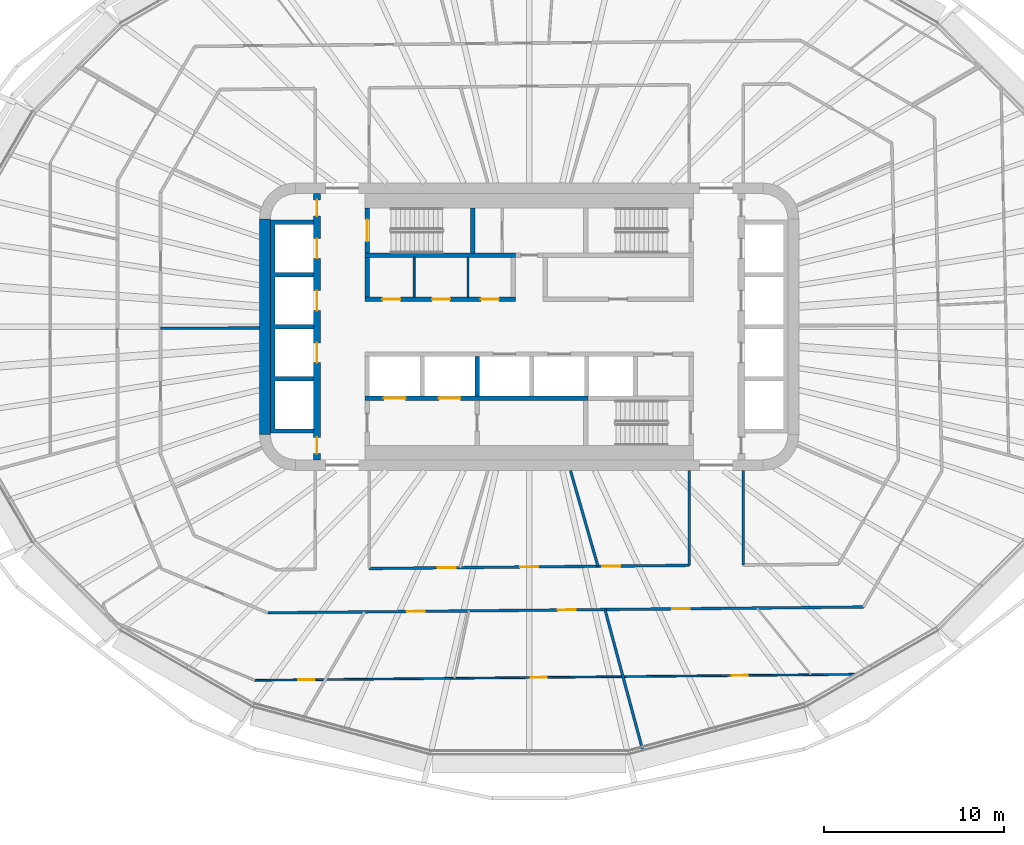
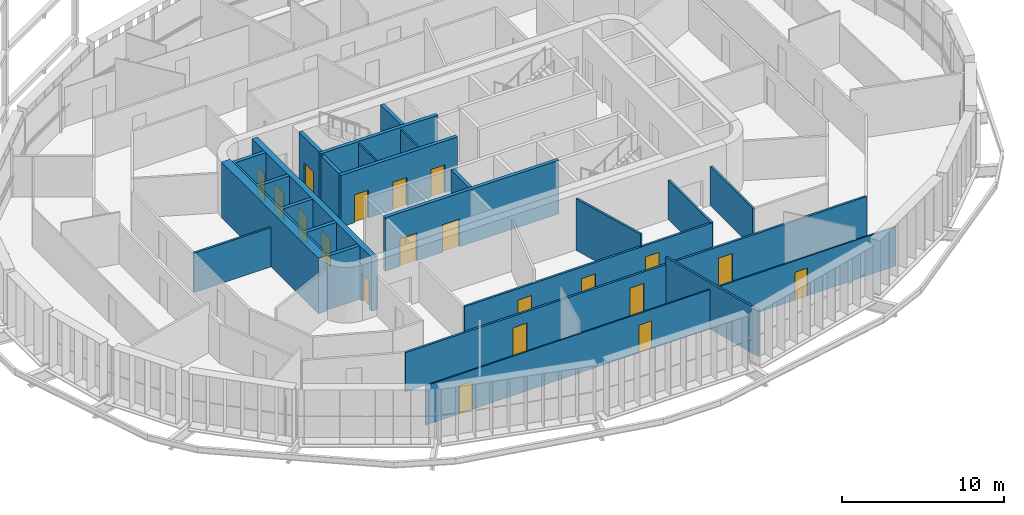
# One storey, part 15 of 26: 20 doors, 20 walls, 20 openings.
"""IFC4 building model written with IfcOpenShell, lengths in metres."""

from ifc_helpers import new_model, si_unit, direction, frame, frame_2d, origin, place, context, subcontext, project, spatial, polyline, rectangle, outline, extrude, material, layer, layer_set, type_object, element, fill, save


model = new_model("IFC4")

# Units and contexts
model_context = context("Model", 3, precision=1e-05, world=origin(), true_north=direction((0.0, 1.0)))
body_context = subcontext(model_context, "Body", "Model", "MODEL_VIEW")
ifc_project = project(units=[si_unit("LENGTHUNIT", "METRE"), si_unit("AREAUNIT", "SQUARE_METRE"), si_unit("VOLUMEUNIT", "CUBIC_METRE"), si_unit("PLANEANGLEUNIT", "RADIAN"), si_unit("MASSUNIT", "GRAM", prefix="KILO")], contexts=[model_context])

# Site, building, storey
site_placement = place(None, origin())
site = spatial("IfcSite", under=ifc_project, at=site_placement, CompositionType="ELEMENT")
building_placement = place(site_placement, origin())
building = spatial("IfcBuilding", under=site, at=building_placement, Name="Sahrelin Media Tower", CompositionType="ELEMENT")
storey_placement = place(building_placement, frame((0.0, 0.0, 84.0)))
storey = spatial("IfcBuildingStorey", under=building, at=storey_placement, Name="L15", CompositionType="ELEMENT", Elevation=84.0)

# Wall
ifc_material_1 = material(Name="Concrete C60/75", Category="concrete")
ifc_layer_1 = layer(ifc_material_1, 0.60009765625)
ifc_layer_set_1 = layer_set([ifc_layer_1], Name="Core wall 600")
wall_type_1 = type_object("IfcWallType", Name="Core wall 600", PredefinedType="SHEAR", material=ifc_layer_set_1)
wall_1_placement = place(storey_placement, frame((-14.699951171875, -6.0, 0.0), z_axis=(0.0, 0.0, 1.0), x_axis=(0.0, 1.0, 0.0)))
element("IfcWall", 1, at=wall_1_placement, inside=storey, type_object=wall_type_1, Name="Core wall W L15", PredefinedType="SHEAR", context=body_context, shape_type="SweptSolid", body=[
    extrude(rectangle(XDim=12.0, YDim=0.60009765625, at=frame_2d((6.0, 0.0))), origin(), (0.0, 0.0, 1.0), 4.199951171875),
])

# Wall, openings, doors
ifc_material_2 = material(Name="Fire-rated gypsum board partition")
ifc_layer_2 = layer(ifc_material_2, 0.25)
ifc_layer_set_2 = layer_set([ifc_layer_2], Name="Fire-rated lobby wall 250")
wall_type_2 = type_object("IfcWallType", Name="Fire-rated lobby wall 250", PredefinedType="PARTITIONING", material=ifc_layer_set_2)
wall_2_placement = place(storey_placement, frame((-9.125, 1.52490234375, 0.0), z_axis=(0.0, 0.0, 1.0), x_axis=(1.0, 0.0, 0.0)))
wall_2 = element("IfcWall", 2, at=wall_2_placement, inside=storey, type_object=wall_type_2, Name="Core lobby wall", PredefinedType="PARTITIONING", context=body_context, shape_type="SweptSolid", body=[
    extrude(rectangle(XDim=8.35009765625, YDim=0.25, at=frame_2d((4.175048828125, 0.0))), origin(), (0.0, 0.0, 1.0), 3.89990234375),
])
opening_1_placement = place(wall_2_placement, frame((0.96240234375, 0.0, 0.0)))
opening_1 = element("IfcOpeningElement", 3, at=opening_1_placement, cuts=wall_2, Name="Opening L15-D08", PredefinedType="OPENING", context=body_context, shape_type="SweptSolid", body=[
    extrude(rectangle(XDim=1.0, YDim=2.10009765625, at=frame_2d((0.5, 1.050048828125))), frame((0.0, 0.125, 0.0), z_axis=(0.0, -1.0, 0.0), x_axis=(1.0, 0.0, 0.0)), (0.0, 0.0, 1.0), 0.25),
])
opening_2_placement = place(wall_2_placement, frame((3.72509765625, 0.0, 0.0)))
opening_2 = element("IfcOpeningElement", 4, at=opening_2_placement, cuts=wall_2, Name="Opening L15-D09", PredefinedType="OPENING", context=body_context, shape_type="SweptSolid", body=[
    extrude(rectangle(XDim=1.0, YDim=2.10009765625, at=frame_2d((0.5, 1.050048828125))), frame((0.0, 0.125, 0.0), z_axis=(0.0, -1.0, 0.0), x_axis=(1.0, 0.0, 0.0)), (0.0, 0.0, 1.0), 0.25),
])
opening_3_placement = place(wall_2_placement, frame((6.4375, 0.0, 0.0)))
opening_3 = element("IfcOpeningElement", 5, at=opening_3_placement, cuts=wall_2, Name="Opening L15-D10", PredefinedType="OPENING", context=body_context, shape_type="SweptSolid", body=[
    extrude(rectangle(XDim=1.0, YDim=2.10009765625, at=frame_2d((0.5, 1.050048828125))), frame((0.0, 0.125, 0.0), z_axis=(0.0, -1.0, 0.0), x_axis=(1.0, 0.0, 0.0)), (0.0, 0.0, 1.0), 0.25),
])
ifc_material_3 = material(Name="Steel fire door leaf", Category="steel")
door_type_1 = type_object("IfcDoorType", Name="Fire door 1000 x 2100 EI 60", OperationType="NOTDEFINED", PredefinedType="DOOR", material=ifc_material_3)
door_1_placement = place(opening_1_placement, origin())
door_1 = element("IfcDoor", 6, at=door_1_placement, inside=storey, type_object=door_type_1, Name="Core room door", OperationType="SINGLE_SWING_LEFT", OverallHeight=2.10009765625, OverallWidth=1.0, PredefinedType="DOOR", context=body_context, shape_type="SweptSolid", body=[
    extrude(rectangle(XDim=1.0, YDim=2.10009765625, at=frame_2d((0.5, 1.050048828125))), frame((0.0, 0.02490234375, 0.0), z_axis=(0.0, -1.0, 0.0), x_axis=(1.0, 0.0, 0.0)), (0.0, 0.0, 1.0), 0.050048828125),
])
fill(opening_1, door_1)
door_2_placement = place(opening_2_placement, origin())
door_2 = element("IfcDoor", 7, at=door_2_placement, inside=storey, type_object=door_type_1, Name="Core room door", OperationType="SINGLE_SWING_LEFT", OverallHeight=2.10009765625, OverallWidth=1.0, PredefinedType="DOOR", context=body_context, shape_type="SweptSolid", body=[
    extrude(rectangle(XDim=1.0, YDim=2.10009765625, at=frame_2d((0.5, 1.050048828125))), frame((0.0, 0.02490234375, 0.0), z_axis=(0.0, -1.0, 0.0), x_axis=(1.0, 0.0, 0.0)), (0.0, 0.0, 1.0), 0.050048828125),
])
fill(opening_2, door_2)
door_3_placement = place(opening_3_placement, origin())
door_3 = element("IfcDoor", 8, at=door_3_placement, inside=storey, type_object=door_type_1, Name="Core room door", OperationType="SINGLE_SWING_LEFT", OverallHeight=2.10009765625, OverallWidth=1.0, PredefinedType="DOOR", context=body_context, shape_type="SweptSolid", body=[
    extrude(rectangle(XDim=1.0, YDim=2.10009765625, at=frame_2d((0.5, 1.050048828125))), frame((0.0, 0.02490234375, 0.0), z_axis=(0.0, -1.0, 0.0), x_axis=(1.0, 0.0, 0.0)), (0.0, 0.0, 1.0), 0.050048828125),
])
fill(opening_3, door_3)

# Walls
wall_3_placement = place(storey_placement, frame((-9.0, 1.64990234375, 0.0), z_axis=(0.0, 0.0, 1.0), x_axis=(0.0, 1.0, 0.0)))
element("IfcWall", 9, at=wall_3_placement, inside=storey, type_object=wall_type_2, Name="Core lobby wall", PredefinedType="PARTITIONING", context=body_context, shape_type="SweptSolid", body=[
    extrude(rectangle(XDim=2.2001953125, YDim=0.25, at=frame_2d((1.10009765625, 0.0))), origin(), (0.0, 0.0, 1.0), 3.89990234375),
])
ifc_layer_3 = layer(ifc_material_2, 0.10009765625)
ifc_layer_set_3 = layer_set([ifc_layer_3], Name="Fire-rated partition 100")
wall_type_3 = type_object("IfcWallType", Name="Fire-rated partition 100", PredefinedType="PARTITIONING", material=ifc_layer_set_3)
for number, where, z_axis, x_axis, name in (
    (10, (-6.39990234375, 1.64990234375, 0.0), (0.0, 0.0, 1.0), (0.0, 1.0, 0.0), "Core room partition"),
    (11, (-3.39990234375, 1.64990234375, 0.0), (0.0, 0.0, 1.0), (0.0, 1.0, 0.0), "Core room partition"),
):
    element("IfcWall", number, at=place(storey_placement, frame(where, z_axis=z_axis, x_axis=x_axis)), inside=storey, type_object=wall_type_3, Name=name, PredefinedType="PARTITIONING", context=body_context, shape_type="SweptSolid", body=[
        extrude(rectangle(XDim=2.2001953125, YDim=0.10009765625, at=frame_2d((1.10009765625, 0.0))), origin(), (0.0, 0.0, 1.0), 3.89990234375),
    ])
ifc_layer_4 = layer(ifc_material_2, 0.14990234375)
ifc_layer_set_4 = layer_set([ifc_layer_4], Name="Fire-rated partition 150")
wall_type_4 = type_object("IfcWallType", Name="Fire-rated partition 150", PredefinedType="PARTITIONING", material=ifc_layer_set_4)
wall_4_placement = place(storey_placement, frame((4.215087890625, -15.72998046875, 0.0), z_axis=(0.0, 0.0, 1.0), x_axis=(0.258844392232, -0.96591903419, 0.0)))
element("IfcWall", 12, at=wall_4_placement, inside=storey, type_object=wall_type_4, Name="Wall", PredefinedType="PARTITIONING", context=body_context, shape_type="SweptSolid", body=[
    extrude(rectangle(XDim=8.1123046875, YDim=0.14990234375, at=frame_2d((4.05615234375, 0.0))), origin(), (0.0, 0.0, 1.0), 3.501708984375),
])
wall_5_placement = place(storey_placement, frame((2.2958984375, -8.0, 0.0), z_axis=(0.0, 0.0, 1.0), x_axis=(0.275935525478, -0.961176147113, 0.0)))
element("IfcWall", 13, at=wall_5_placement, inside=storey, type_object=wall_type_4, Name="Wall", PredefinedType="PARTITIONING", context=body_context, shape_type="SweptSolid", body=[
    extrude(rectangle(XDim=5.54833984375, YDim=0.14990234375, at=frame_2d((2.774169921875, 0.0))), origin(), (0.0, 0.0, 1.0), 3.89990234375),
])
wall_6_placement = place(storey_placement, frame((-20.5, -0.093994140625, 0.0), z_axis=(0.0, 0.0, 1.0), x_axis=(0.999990148138, 0.004438876723, 0.0)))
element("IfcWall", 14, at=wall_6_placement, inside=storey, type_object=wall_type_4, Name="Wall", PredefinedType="PARTITIONING", context=body_context, shape_type="SweptSolid", body=[
    extrude(rectangle(XDim=5.5, YDim=0.14990234375, at=frame_2d((2.75, 0.0))), origin(), (0.0, 0.0, 1.0), 2.96826171875),
])

# Wall, openings, doors
wall_7_placement = place(storey_placement, frame((-14.533935546875, -15.91552734375, 0.0), z_axis=(0.0, 0.0, 1.0), x_axis=(0.999950930262, 0.009906415532, 0.0)))
wall_7 = element("IfcWall", 15, at=wall_7_placement, inside=storey, type_object=wall_type_4, Name="Wall", PredefinedType="PARTITIONING", context=body_context, shape_type="SweptSolid", body=[
    extrude(rectangle(XDim=33.12255859375, YDim=0.14990234375, at=frame_2d((16.561279296875, 0.0))), origin(), (0.0, 0.0, 1.0), 2.96826171875),
])
opening_4_placement = place(wall_7_placement, frame((22.477294921875, 0.0, 0.0)))
opening_4 = element("IfcOpeningElement", 16, at=opening_4_placement, cuts=wall_7, Name="Opening L15-D35", PredefinedType="OPENING", context=body_context, shape_type="SweptSolid", body=[
    extrude(rectangle(XDim=1.0, YDim=2.10009765625, at=frame_2d((0.5, 1.050048828125))), frame((0.0, 0.074951171875, 0.0), z_axis=(0.0, -1.0, 0.0), x_axis=(1.0, 0.0, 0.0)), (0.0, 0.0, 1.0), 0.14990234375),
])
opening_5_placement = place(wall_7_placement, frame((7.722900390625, 0.0, 0.0)))
opening_5 = element("IfcOpeningElement", 17, at=opening_5_placement, cuts=wall_7, Name="Opening L15-D56", PredefinedType="OPENING", context=body_context, shape_type="SweptSolid", body=[
    extrude(rectangle(XDim=1.0, YDim=2.10009765625, at=frame_2d((0.5, 1.050048828125))), frame((0.0, 0.074951171875, 0.0), z_axis=(0.0, -1.0, 0.0), x_axis=(1.0, 0.0, 0.0)), (0.0, 0.0, 1.0), 0.14990234375),
])
opening_6_placement = place(wall_7_placement, frame((16.111083984375, 0.0, 0.0)))
opening_6 = element("IfcOpeningElement", 18, at=opening_6_placement, cuts=wall_7, Name="Opening L15-D57", PredefinedType="OPENING", context=body_context, shape_type="SweptSolid", body=[
    extrude(rectangle(XDim=1.0, YDim=2.10009765625, at=frame_2d((0.5, 1.050048828125))), frame((0.0, 0.074951171875, 0.0), z_axis=(0.0, -1.0, 0.0), x_axis=(1.0, 0.0, 0.0)), (0.0, 0.0, 1.0), 0.14990234375),
])
door_4_placement = place(opening_4_placement, origin())
door_4 = element("IfcDoor", 19, at=door_4_placement, inside=storey, type_object=door_type_1, Name="Fire door", OperationType="SINGLE_SWING_RIGHT", OverallHeight=2.10009765625, OverallWidth=1.0, PredefinedType="DOOR", context=body_context, shape_type="SweptSolid", body=[
    extrude(rectangle(XDim=1.0, YDim=2.10009765625, at=frame_2d((0.5, 1.050048828125))), frame((0.0, 0.02490234375, 0.0), z_axis=(0.0, -1.0, 0.0), x_axis=(1.0, 0.0, 0.0)), (0.0, 0.0, 1.0), 0.050048828125),
])
fill(opening_4, door_4)
door_5_placement = place(opening_5_placement, origin())
door_5 = element("IfcDoor", 20, at=door_5_placement, inside=storey, type_object=door_type_1, Name="Fire door", OperationType="SINGLE_SWING_LEFT", OverallHeight=2.10009765625, OverallWidth=1.0, PredefinedType="DOOR", context=body_context, shape_type="SweptSolid", body=[
    extrude(rectangle(XDim=1.0, YDim=2.10009765625, at=frame_2d((0.5, 1.050048828125))), frame((0.0, 0.02490234375, 0.0), z_axis=(0.0, -1.0, 0.0), x_axis=(1.0, 0.0, 0.0)), (0.0, 0.0, 1.0), 0.050048828125),
])
fill(opening_5, door_5)
door_6_placement = place(opening_6_placement, origin())
door_6 = element("IfcDoor", 21, at=door_6_placement, inside=storey, type_object=door_type_1, Name="Fire door", OperationType="SINGLE_SWING_RIGHT", OverallHeight=2.10009765625, OverallWidth=1.0, PredefinedType="DOOR", context=body_context, shape_type="SweptSolid", body=[
    extrude(rectangle(XDim=1.0, YDim=2.10009765625, at=frame_2d((0.5, 1.050048828125))), frame((0.0, 0.02490234375, 0.0), z_axis=(0.0, -1.0, 0.0), x_axis=(1.0, 0.0, 0.0)), (0.0, 0.0, 1.0), 0.050048828125),
])
fill(opening_6, door_6)

wall_8_placement = place(storey_placement, frame((-8.89990234375, -13.448974609375, 0.0), z_axis=(0.0, 0.0, 1.0), x_axis=(0.999950834077, 0.009916119672, 0.0)))
wall_8 = element("IfcWall", 22, at=wall_8_placement, inside=storey, type_object=wall_type_4, Name="Wall", PredefinedType="PARTITIONING", context=body_context, shape_type="SweptSolid", body=[
    extrude(rectangle(XDim=17.80078125, YDim=0.14990234375, at=frame_2d((8.900390625, 0.0))), origin(), (0.0, 0.0, 1.0), 2.96826171875),
])
opening_7_placement = place(wall_8_placement, frame((3.81787109375, 0.0, 0.0)))
opening_7 = element("IfcOpeningElement", 23, at=opening_7_placement, cuts=wall_8, Name="Opening L15-D21", PredefinedType="OPENING", context=body_context, shape_type="SweptSolid", body=[
    extrude(rectangle(XDim=1.0, YDim=2.10009765625, at=frame_2d((0.5, 1.050048828125))), frame((0.0, 0.074951171875, 0.0), z_axis=(0.0, -1.0, 0.0), x_axis=(1.0, 0.0, 0.0)), (0.0, 0.0, 1.0), 0.14990234375),
])
opening_8_placement = place(wall_8_placement, frame((8.390869140625, 0.0, 0.0)))
opening_8 = element("IfcOpeningElement", 24, at=opening_8_placement, cuts=wall_8, Name="Opening L15-D22", PredefinedType="OPENING", context=body_context, shape_type="SweptSolid", body=[
    extrude(rectangle(XDim=1.0, YDim=2.10009765625, at=frame_2d((0.5, 1.050048828125))), frame((0.0, 0.074951171875, 0.0), z_axis=(0.0, -1.0, 0.0), x_axis=(1.0, 0.0, 0.0)), (0.0, 0.0, 1.0), 0.14990234375),
])
opening_9_placement = place(wall_8_placement, frame((12.974609375, 0.0, 0.0)))
opening_9 = element("IfcOpeningElement", 25, at=opening_9_placement, cuts=wall_8, Name="Opening L15-D23", PredefinedType="OPENING", context=body_context, shape_type="SweptSolid", body=[
    extrude(rectangle(XDim=1.0, YDim=2.10009765625, at=frame_2d((0.5, 1.050048828125))), frame((0.0, 0.074951171875, 0.0), z_axis=(0.0, -1.0, 0.0), x_axis=(1.0, 0.0, 0.0)), (0.0, 0.0, 1.0), 0.14990234375),
])
door_7_placement = place(opening_7_placement, origin())
door_7 = element("IfcDoor", 26, at=door_7_placement, inside=storey, type_object=door_type_1, Name="Fire door", OperationType="SINGLE_SWING_LEFT", OverallHeight=2.10009765625, OverallWidth=1.0, PredefinedType="DOOR", context=body_context, shape_type="SweptSolid", body=[
    extrude(rectangle(XDim=1.0, YDim=2.10009765625, at=frame_2d((0.5, 1.050048828125))), frame((0.0, 0.02490234375, 0.0), z_axis=(0.0, -1.0, 0.0), x_axis=(1.0, 0.0, 0.0)), (0.0, 0.0, 1.0), 0.050048828125),
])
fill(opening_7, door_7)
door_8_placement = place(opening_8_placement, origin())
door_8 = element("IfcDoor", 27, at=door_8_placement, inside=storey, type_object=door_type_1, Name="Fire door", OperationType="SINGLE_SWING_RIGHT", OverallHeight=2.10009765625, OverallWidth=1.0, PredefinedType="DOOR", context=body_context, shape_type="SweptSolid", body=[
    extrude(rectangle(XDim=1.0, YDim=2.10009765625, at=frame_2d((0.5, 1.050048828125))), frame((0.0, 0.02490234375, 0.0), z_axis=(0.0, -1.0, 0.0), x_axis=(1.0, 0.0, 0.0)), (0.0, 0.0, 1.0), 0.050048828125),
])
fill(opening_8, door_8)
door_9_placement = place(opening_9_placement, origin())
door_9 = element("IfcDoor", 28, at=door_9_placement, inside=storey, type_object=door_type_1, Name="Fire door", OperationType="SINGLE_SWING_LEFT", OverallHeight=2.10009765625, OverallWidth=1.0, PredefinedType="DOOR", context=body_context, shape_type="SweptSolid", body=[
    extrude(rectangle(XDim=1.0, YDim=2.10009765625, at=frame_2d((0.5, 1.050048828125))), frame((0.0, 0.02490234375, 0.0), z_axis=(0.0, -1.0, 0.0), x_axis=(1.0, 0.0, 0.0)), (0.0, 0.0, 1.0), 0.050048828125),
])
fill(opening_9, door_9)

# Walls
wall_9_placement = place(storey_placement, frame((11.89990234375, -13.2529296875, 0.0), z_axis=(0.0, 0.0, 1.0), x_axis=(0.0, 1.0, 0.0)))
element("IfcWall", 29, at=wall_9_placement, inside=storey, type_object=wall_type_4, Name="Wall", PredefinedType="PARTITIONING", context=body_context, shape_type="SweptSolid", body=[
    extrude(rectangle(XDim=5.2529296875, YDim=0.14990234375, at=frame_2d((2.62646484375, 0.0))), origin(), (0.0, 0.0, 1.0), 2.96826171875),
])
wall_10_placement = place(storey_placement, frame((8.89990234375, -13.282958984375, 0.0), z_axis=(0.0, 0.0, 1.0), x_axis=(0.0, 1.0, 0.0)))
element("IfcWall", 30, at=wall_10_placement, inside=storey, type_object=wall_type_4, Name="Wall", PredefinedType="PARTITIONING", context=body_context, shape_type="SweptSolid", body=[
    extrude(rectangle(XDim=5.282958984375, YDim=0.14990234375, at=frame_2d((2.6416015625, 0.0))), origin(), (0.0, 0.0, 1.0), 2.96826171875),
])

# Wall, openings, doors
ifc_layer_5 = layer(ifc_material_1, 0.25)
ifc_layer_set_5 = layer_set([ifc_layer_5], Name="Lift shaft wall 250")
wall_type_5 = type_object("IfcWallType", Name="Lift shaft wall 250", PredefinedType="SOLIDWALL", material=ifc_layer_set_5)
wall_11_placement = place(storey_placement, frame((-9.125, -3.97509765625, 0.0), z_axis=(0.0, 0.0, 1.0), x_axis=(1.0, 0.0, 0.0)))
wall_11 = element("IfcWall", 31, at=wall_11_placement, inside=storey, type_object=wall_type_5, Name="Lift shaft wall", PredefinedType="SOLIDWALL", context=body_context, shape_type="SweptSolid", body=[
    extrude(rectangle(XDim=12.39990234375, YDim=0.25, at=frame_2d((6.199951171875, 0.0))), origin(), (0.0, 0.0, 1.0), 4.050048828125),
])
opening_10_placement = place(wall_11_placement, frame((1.050048828125, 0.0, 0.0)))
opening_10 = element("IfcOpeningElement", 32, at=opening_10_placement, cuts=wall_11, Name="Opening L15-LD-FF1", PredefinedType="OPENING", context=body_context, shape_type="SweptSolid", body=[
    extrude(rectangle(XDim=1.199951171875, YDim=2.10009765625, at=frame_2d((0.60009765625, 1.050048828125))), frame((0.0, 0.125, 0.0), z_axis=(0.0, -1.0, 0.0), x_axis=(1.0, 0.0, 0.0)), (0.0, 0.0, 1.0), 0.25),
])
opening_11_placement = place(wall_11_placement, frame((4.10009765625, 0.0, 0.0)))
opening_11 = element("IfcOpeningElement", 33, at=opening_11_placement, cuts=wall_11, Name="Opening L15-LD-FF2", PredefinedType="OPENING", context=body_context, shape_type="SweptSolid", body=[
    extrude(rectangle(XDim=1.199951171875, YDim=2.10009765625, at=frame_2d((0.60009765625, 1.050048828125))), frame((0.0, 0.125, 0.0), z_axis=(0.0, -1.0, 0.0), x_axis=(1.0, 0.0, 0.0)), (0.0, 0.0, 1.0), 0.25),
])
ifc_material_4 = material(Name="Stainless steel", Category="steel")
door_type_2 = type_object("IfcDoorType", Name="Lift landing door 1200 x 2100 EI 120", OperationType="DOUBLE_DOOR_SLIDING", PredefinedType="DOOR", material=ifc_material_4)
door_10_placement = place(opening_10_placement, origin())
door_10 = element("IfcDoor", 34, at=door_10_placement, inside=storey, type_object=door_type_2, Name="Lift landing door FF1", OperationType="DOUBLE_DOOR_SLIDING", OverallHeight=2.10009765625, OverallWidth=1.199951171875, PredefinedType="DOOR", context=body_context, shape_type="SweptSolid", body=[
    extrude(rectangle(XDim=1.199951171875, YDim=2.10009765625, at=frame_2d((0.60009765625, 1.050048828125))), frame((0.0, 0.02490234375, 0.0), z_axis=(0.0, -1.0, 0.0), x_axis=(1.0, 0.0, 0.0)), (0.0, 0.0, 1.0), 0.050048828125),
])
fill(opening_10, door_10)
door_11_placement = place(opening_11_placement, origin())
door_11 = element("IfcDoor", 35, at=door_11_placement, inside=storey, type_object=door_type_2, Name="Lift landing door FF2", OperationType="DOUBLE_DOOR_SLIDING", OverallHeight=2.10009765625, OverallWidth=1.199951171875, PredefinedType="DOOR", context=body_context, shape_type="SweptSolid", body=[
    extrude(rectangle(XDim=1.199951171875, YDim=2.10009765625, at=frame_2d((0.60009765625, 1.050048828125))), frame((0.0, 0.02490234375, 0.0), z_axis=(0.0, -1.0, 0.0), x_axis=(1.0, 0.0, 0.0)), (0.0, 0.0, 1.0), 0.050048828125),
])
fill(opening_11, door_11)

# Walls
wall_12_placement = place(storey_placement, frame((-2.89990234375, -3.85009765625, 0.0), z_axis=(0.0, 0.0, 1.0), x_axis=(0.0, 1.0, 0.0)))
element("IfcWall", 36, at=wall_12_placement, inside=storey, type_object=wall_type_5, Name="Lift shaft wall", PredefinedType="SOLIDWALL", context=body_context, shape_type="SweptSolid", body=[
    extrude(rectangle(XDim=2.2001953125, YDim=0.25, at=frame_2d((1.10009765625, 0.0))), origin(), (0.0, 0.0, 1.0), 4.050048828125),
])
wall_13_placement = place(storey_placement, origin())
element("IfcWall", 37, at=wall_13_placement, inside=storey, type_object=wall_type_5, Name="Lift shaft wall", PredefinedType="SOLIDWALL", context=body_context, shape_type="SweptSolid", body=[
    extrude(outline(polyline([(-12.0, -5.925048828125), (-12.0, -5.675048828125), (-14.14990234375, -5.675048828125), (-14.14990234375, -3.02490234375), (-12.0, -3.02490234375), (-12.0, -2.77490234375), (-14.14990234375, -2.77490234375), (-14.14990234375, -0.125), (-12.0, -0.125), (-12.0, 0.125), (-14.14990234375, 0.125), (-14.14990234375, 2.77490234375), (-12.0, 2.77490234375), (-12.0, 3.02490234375), (-14.14990234375, 3.02490234375), (-14.14990234375, 5.675048828125), (-12.0, 5.675048828125), (-12.0, 5.925048828125), (-14.14990234375, 5.925048828125), (-14.39990234375, 5.925048828125), (-14.39990234375, 5.675048828125), (-14.39990234375, 3.02490234375), (-14.39990234375, 2.77490234375), (-14.39990234375, 0.125), (-14.39990234375, -0.125), (-14.39990234375, -2.77490234375), (-14.39990234375, -3.02490234375), (-14.39990234375, -5.675048828125), (-14.39990234375, -5.925048828125), (-14.14990234375, -5.925048828125), (-12.0, -5.925048828125)])), origin(), (0.0, 0.0, 1.0), 4.050048828125),
])

# Wall, openings, doors
ifc_layer_6 = layer(ifc_material_1, 0.39990234375)
ifc_layer_set_6 = layer_set([ifc_layer_6], Name="Lift shaft wall 400")
wall_type_6 = type_object("IfcWallType", Name="Lift shaft wall 400", PredefinedType="SOLIDWALL", material=ifc_layer_set_6)
wall_14_placement = place(storey_placement, frame((-11.800048828125, -7.39990234375, 0.0), z_axis=(0.0, 0.0, 1.0), x_axis=(0.0, 1.0, 0.0)))
wall_14 = element("IfcWall", 38, at=wall_14_placement, inside=storey, type_object=wall_type_6, Name="Lift shaft wall", PredefinedType="SOLIDWALL", context=body_context, shape_type="SweptSolid", body=[
    extrude(rectangle(XDim=14.7998046875, YDim=0.39990234375, at=frame_2d((7.39990234375, 0.0))), origin(), (0.0, 0.0, 1.0), 4.050048828125),
])
opening_12_placement = place(wall_14_placement, frame((11.199951171875, 0.0, 0.0)))
opening_12 = element("IfcOpeningElement", 39, at=opening_12_placement, cuts=wall_14, Name="Opening L15-LD-LR1", PredefinedType="OPENING", context=body_context, shape_type="SweptSolid", body=[
    extrude(rectangle(XDim=1.10009765625, YDim=2.10009765625, at=frame_2d((0.550048828125, 1.050048828125))), frame((0.0, 0.199951171875, 0.0), z_axis=(0.0, -1.0, 0.0), x_axis=(1.0, 0.0, 0.0)), (0.0, 0.0, 1.0), 0.39990234375),
])
opening_13_placement = place(wall_14_placement, frame((8.300048828125, 0.0, 0.0)))
opening_13 = element("IfcOpeningElement", 40, at=opening_13_placement, cuts=wall_14, Name="Opening L15-LD-LR2", PredefinedType="OPENING", context=body_context, shape_type="SweptSolid", body=[
    extrude(rectangle(XDim=1.10009765625, YDim=2.10009765625, at=frame_2d((0.550048828125, 1.050048828125))), frame((0.0, 0.199951171875, 0.0), z_axis=(0.0, -1.0, 0.0), x_axis=(1.0, 0.0, 0.0)), (0.0, 0.0, 1.0), 0.39990234375),
])
opening_14_placement = place(wall_14_placement, frame((5.39990234375, 0.0, 0.0)))
opening_14 = element("IfcOpeningElement", 41, at=opening_14_placement, cuts=wall_14, Name="Opening L15-LD-LR3", PredefinedType="OPENING", context=body_context, shape_type="SweptSolid", body=[
    extrude(rectangle(XDim=1.10009765625, YDim=2.10009765625, at=frame_2d((0.550048828125, 1.050048828125))), frame((0.0, 0.199951171875, 0.0), z_axis=(0.0, -1.0, 0.0), x_axis=(1.0, 0.0, 0.0)), (0.0, 0.0, 1.0), 0.39990234375),
])
opening_15_placement = place(wall_14_placement, frame((13.552490234375, 0.0, 0.0)))
opening_15 = element("IfcOpeningElement", 42, at=opening_15_placement, cuts=wall_14, Name="Opening L15-D13", PredefinedType="OPENING", context=body_context, shape_type="SweptSolid", body=[
    extrude(rectangle(XDim=0.89990234375, YDim=2.10009765625, at=frame_2d((0.449951171875, 1.050048828125))), frame((0.0, 0.199951171875, 0.0), z_axis=(0.0, -1.0, 0.0), x_axis=(1.0, 0.0, 0.0)), (0.0, 0.0, 1.0), 0.39990234375),
])
opening_16_placement = place(wall_14_placement, frame((0.347412109375, 0.0, 0.0)))
opening_16 = element("IfcOpeningElement", 43, at=opening_16_placement, cuts=wall_14, Name="Opening L15-D14", PredefinedType="OPENING", context=body_context, shape_type="SweptSolid", body=[
    extrude(rectangle(XDim=0.89990234375, YDim=2.10009765625, at=frame_2d((0.449951171875, 1.050048828125))), frame((0.0, 0.199951171875, 0.0), z_axis=(0.0, -1.0, 0.0), x_axis=(1.0, 0.0, 0.0)), (0.0, 0.0, 1.0), 0.39990234375),
])
door_type_3 = type_object("IfcDoorType", Name="Lift landing door 1100 x 2100 EI 120", OperationType="DOUBLE_DOOR_SLIDING", PredefinedType="DOOR", material=ifc_material_4)
door_12_placement = place(opening_12_placement, origin())
door_12 = element("IfcDoor", 44, at=door_12_placement, inside=storey, type_object=door_type_3, Name="Lift landing door LR1", OperationType="DOUBLE_DOOR_SLIDING", OverallHeight=2.10009765625, OverallWidth=1.10009765625, PredefinedType="DOOR", context=body_context, shape_type="SweptSolid", body=[
    extrude(rectangle(XDim=1.10009765625, YDim=2.10009765625, at=frame_2d((0.550048828125, 1.050048828125))), frame((0.0, 0.02490234375, 0.0), z_axis=(0.0, -1.0, 0.0), x_axis=(1.0, 0.0, 0.0)), (0.0, 0.0, 1.0), 0.050048828125),
])
fill(opening_12, door_12)
door_13_placement = place(opening_13_placement, origin())
door_13 = element("IfcDoor", 45, at=door_13_placement, inside=storey, type_object=door_type_3, Name="Lift landing door LR2", OperationType="DOUBLE_DOOR_SLIDING", OverallHeight=2.10009765625, OverallWidth=1.10009765625, PredefinedType="DOOR", context=body_context, shape_type="SweptSolid", body=[
    extrude(rectangle(XDim=1.10009765625, YDim=2.10009765625, at=frame_2d((0.550048828125, 1.050048828125))), frame((0.0, 0.02490234375, 0.0), z_axis=(0.0, -1.0, 0.0), x_axis=(1.0, 0.0, 0.0)), (0.0, 0.0, 1.0), 0.050048828125),
])
fill(opening_13, door_13)
door_14_placement = place(opening_14_placement, origin())
door_14 = element("IfcDoor", 46, at=door_14_placement, inside=storey, type_object=door_type_3, Name="Lift landing door LR3", OperationType="DOUBLE_DOOR_SLIDING", OverallHeight=2.10009765625, OverallWidth=1.10009765625, PredefinedType="DOOR", context=body_context, shape_type="SweptSolid", body=[
    extrude(rectangle(XDim=1.10009765625, YDim=2.10009765625, at=frame_2d((0.550048828125, 1.050048828125))), frame((0.0, 0.02490234375, 0.0), z_axis=(0.0, -1.0, 0.0), x_axis=(1.0, 0.0, 0.0)), (0.0, 0.0, 1.0), 0.050048828125),
])
fill(opening_14, door_14)
door_type_4 = type_object("IfcDoorType", Name="Riser door 900 x 2100 EI 120", OperationType="NOTDEFINED", PredefinedType="DOOR", material=ifc_material_3)
door_15_placement = place(opening_15_placement, origin())
door_15 = element("IfcDoor", 47, at=door_15_placement, inside=storey, type_object=door_type_4, Name="Riser door", OperationType="SINGLE_SWING_LEFT", OverallHeight=2.10009765625, OverallWidth=0.89990234375, PredefinedType="DOOR", context=body_context, shape_type="SweptSolid", body=[
    extrude(rectangle(XDim=0.89990234375, YDim=2.10009765625, at=frame_2d((0.449951171875, 1.050048828125))), frame((0.0, 0.02490234375, 0.0), z_axis=(0.0, -1.0, 0.0), x_axis=(1.0, 0.0, 0.0)), (0.0, 0.0, 1.0), 0.050048828125),
])
fill(opening_15, door_15)
door_16_placement = place(opening_16_placement, origin())
door_16 = element("IfcDoor", 48, at=door_16_placement, inside=storey, type_object=door_type_4, Name="Riser door", OperationType="SINGLE_SWING_LEFT", OverallHeight=2.10009765625, OverallWidth=0.89990234375, PredefinedType="DOOR", context=body_context, shape_type="SweptSolid", body=[
    extrude(rectangle(XDim=0.89990234375, YDim=2.10009765625, at=frame_2d((0.449951171875, 1.050048828125))), frame((0.0, 0.02490234375, 0.0), z_axis=(0.0, -1.0, 0.0), x_axis=(1.0, 0.0, 0.0)), (0.0, 0.0, 1.0), 0.050048828125),
])
fill(opening_16, door_16)

ifc_material_5 = material(Name="Gypsum board partition")
ifc_layer_7 = layer(ifc_material_5, 0.10009765625)
ifc_layer_set_7 = layer_set([ifc_layer_7], Name="Partition 100")
wall_type_7 = type_object("IfcWallType", Name="Partition 100", PredefinedType="PARTITIONING", material=ifc_layer_set_7)
wall_15_placement = place(storey_placement, frame((-15.260009765625, -19.6630859375, 0.0), z_axis=(0.0, 0.0, 1.0), x_axis=(0.999951032014, 0.009896139397, 0.0)))
wall_15 = element("IfcWall", 49, at=wall_15_placement, inside=storey, type_object=wall_type_7, Name="Wall", PredefinedType="PARTITIONING", context=body_context, shape_type="SweptSolid", body=[
    extrude(rectangle(XDim=33.773681640625, YDim=0.10009765625, at=frame_2d((16.88671875, 0.0))), origin(), (0.0, 0.0, 1.0), 2.96826171875),
])
opening_17_placement = place(wall_15_placement, frame((26.522705078125, 0.0, 0.0)))
opening_17 = element("IfcOpeningElement", 50, at=opening_17_placement, cuts=wall_15, Name="Opening L15-D37", PredefinedType="OPENING", context=body_context, shape_type="SweptSolid", body=[
    extrude(rectangle(XDim=0.89990234375, YDim=2.10009765625, at=frame_2d((0.449951171875, 1.050048828125))), frame((0.0, 0.050048828125, 0.0), z_axis=(0.0, -1.0, 0.0), x_axis=(1.0, 0.0, 0.0)), (0.0, 0.0, 1.0), 0.10009765625),
])
opening_18_placement = place(wall_15_placement, frame((2.4296875, 0.0, 0.0)))
opening_18 = element("IfcOpeningElement", 51, at=opening_18_placement, cuts=wall_15, Name="Opening L15-D55", PredefinedType="OPENING", context=body_context, shape_type="SweptSolid", body=[
    extrude(rectangle(XDim=0.89990234375, YDim=2.10009765625, at=frame_2d((0.449951171875, 1.050048828125))), frame((0.0, 0.050048828125, 0.0), z_axis=(0.0, -1.0, 0.0), x_axis=(1.0, 0.0, 0.0)), (0.0, 0.0, 1.0), 0.10009765625),
])
opening_19_placement = place(wall_15_placement, frame((15.339599609375, 0.0, 0.0)))
opening_19 = element("IfcOpeningElement", 52, at=opening_19_placement, cuts=wall_15, Name="Opening L15-D58", PredefinedType="OPENING", context=body_context, shape_type="SweptSolid", body=[
    extrude(rectangle(XDim=0.89990234375, YDim=2.10009765625, at=frame_2d((0.449951171875, 1.050048828125))), frame((0.0, 0.050048828125, 0.0), z_axis=(0.0, -1.0, 0.0), x_axis=(1.0, 0.0, 0.0)), (0.0, 0.0, 1.0), 0.10009765625),
])
ifc_material_6 = material(Name="Timber door leaf", Category="wood")
door_type_5 = type_object("IfcDoorType", Name="Single door 900 x 2100", OperationType="NOTDEFINED", PredefinedType="DOOR", material=ifc_material_6)
door_17_placement = place(opening_17_placement, origin())
door_17 = element("IfcDoor", 53, at=door_17_placement, inside=storey, type_object=door_type_5, Name="Single door", OperationType="SINGLE_SWING_LEFT", OverallHeight=2.10009765625, OverallWidth=0.89990234375, PredefinedType="DOOR", context=body_context, shape_type="SweptSolid", body=[
    extrude(rectangle(XDim=0.89990234375, YDim=2.10009765625, at=frame_2d((0.449951171875, 1.050048828125))), frame((0.0, 0.02490234375, 0.0), z_axis=(0.0, -1.0, 0.0), x_axis=(1.0, 0.0, 0.0)), (0.0, 0.0, 1.0), 0.050048828125),
])
fill(opening_17, door_17)
door_18_placement = place(opening_18_placement, origin())
door_18 = element("IfcDoor", 54, at=door_18_placement, inside=storey, type_object=door_type_5, Name="Single door", OperationType="SINGLE_SWING_LEFT", OverallHeight=2.10009765625, OverallWidth=0.89990234375, PredefinedType="DOOR", context=body_context, shape_type="SweptSolid", body=[
    extrude(rectangle(XDim=0.89990234375, YDim=2.10009765625, at=frame_2d((0.449951171875, 1.050048828125))), frame((0.0, 0.02490234375, 0.0), z_axis=(0.0, -1.0, 0.0), x_axis=(1.0, 0.0, 0.0)), (0.0, 0.0, 1.0), 0.050048828125),
])
fill(opening_18, door_18)
door_19_placement = place(opening_19_placement, origin())
door_19 = element("IfcDoor", 55, at=door_19_placement, inside=storey, type_object=door_type_5, Name="Single door", OperationType="SINGLE_SWING_LEFT", OverallHeight=2.10009765625, OverallWidth=0.89990234375, PredefinedType="DOOR", context=body_context, shape_type="SweptSolid", body=[
    extrude(rectangle(XDim=0.89990234375, YDim=2.10009765625, at=frame_2d((0.449951171875, 1.050048828125))), frame((0.0, 0.02490234375, 0.0), z_axis=(0.0, -1.0, 0.0), x_axis=(1.0, 0.0, 0.0)), (0.0, 0.0, 1.0), 0.050048828125),
])
fill(opening_19, door_19)

# Wall, opening, door
ifc_layer_8 = layer(ifc_material_1, 0.25)
ifc_layer_set_8 = layer_set([ifc_layer_8], Name="Stair enclosure wall 250")
wall_type_8 = type_object("IfcWallType", Name="Stair enclosure wall 250", PredefinedType="SOLIDWALL", material=ifc_layer_set_8)
wall_16_placement = place(storey_placement, frame((-9.0, 4.10009765625, 0.0), z_axis=(0.0, 0.0, 1.0), x_axis=(0.0, 1.0, 0.0)))
wall_16 = element("IfcWall", 56, at=wall_16_placement, inside=storey, type_object=wall_type_8, Name="Stair enclosure wall", PredefinedType="SOLIDWALL", context=body_context, shape_type="SweptSolid", body=[
    extrude(rectangle(XDim=2.5, YDim=0.25, at=frame_2d((1.25, 0.0))), origin(), (0.0, 0.0, 1.0), 4.050048828125),
])
opening_20_placement = place(wall_16_placement, frame((0.64990234375, 0.0, 0.0)))
opening_20 = element("IfcOpeningElement", 57, at=opening_20_placement, cuts=wall_16, Name="Opening L15-D01", PredefinedType="OPENING", context=body_context, shape_type="SweptSolid", body=[
    extrude(rectangle(XDim=1.199951171875, YDim=2.10009765625, at=frame_2d((0.60009765625, 1.050048828125))), frame((0.0, 0.125, 0.0), z_axis=(0.0, -1.0, 0.0), x_axis=(1.0, 0.0, 0.0)), (0.0, 0.0, 1.0), 0.25),
])
door_type_6 = type_object("IfcDoorType", Name="Stair door 1200 x 2100 EI 120", OperationType="NOTDEFINED", PredefinedType="DOOR", material=ifc_material_3)
door_20_placement = place(opening_20_placement, origin())
door_20 = element("IfcDoor", 58, at=door_20_placement, inside=storey, type_object=door_type_6, Name="Stair door ST1", OperationType="SINGLE_SWING_RIGHT", OverallHeight=2.10009765625, OverallWidth=1.199951171875, PredefinedType="DOOR", context=body_context, shape_type="SweptSolid", body=[
    extrude(rectangle(XDim=1.199951171875, YDim=2.10009765625, at=frame_2d((0.60009765625, 1.050048828125))), frame((0.0, 0.02490234375, 0.0), z_axis=(0.0, -1.0, 0.0), x_axis=(1.0, 0.0, 0.0)), (0.0, 0.0, 1.0), 0.050048828125),
])
fill(opening_20, door_20)

# Walls
wall_17_placement = place(storey_placement, frame((-3.14990234375, 4.10009765625, 0.0), z_axis=(0.0, 0.0, 1.0), x_axis=(0.0, 1.0, 0.0)))
element("IfcWall", 59, at=wall_17_placement, inside=storey, type_object=wall_type_8, Name="Stair enclosure wall", PredefinedType="SOLIDWALL", context=body_context, shape_type="SweptSolid", body=[
    extrude(rectangle(XDim=2.5, YDim=0.25, at=frame_2d((1.25, 0.0))), origin(), (0.0, 0.0, 1.0), 4.050048828125),
])
wall_18_placement = place(storey_placement, frame((-9.125, 3.97509765625, 0.0), z_axis=(0.0, 0.0, 1.0), x_axis=(1.0, 0.0, 0.0)))
element("IfcWall", 60, at=wall_18_placement, inside=storey, type_object=wall_type_8, Name="Stair enclosure wall", PredefinedType="SOLIDWALL", context=body_context, shape_type="SweptSolid", body=[
    extrude(rectangle(XDim=8.35009765625, YDim=0.25, at=frame_2d((4.175048828125, 0.0))), origin(), (0.0, 0.0, 1.0), 4.050048828125),
])

save(model, "model.ifc")
